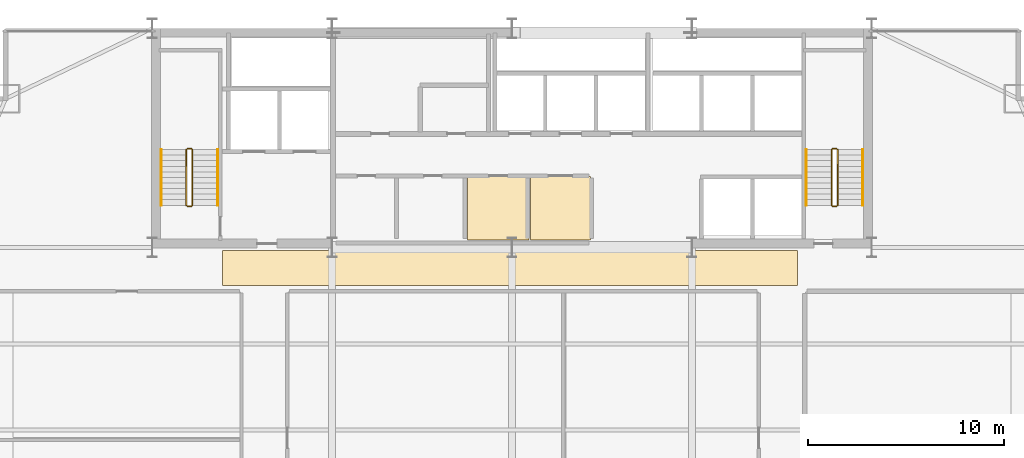
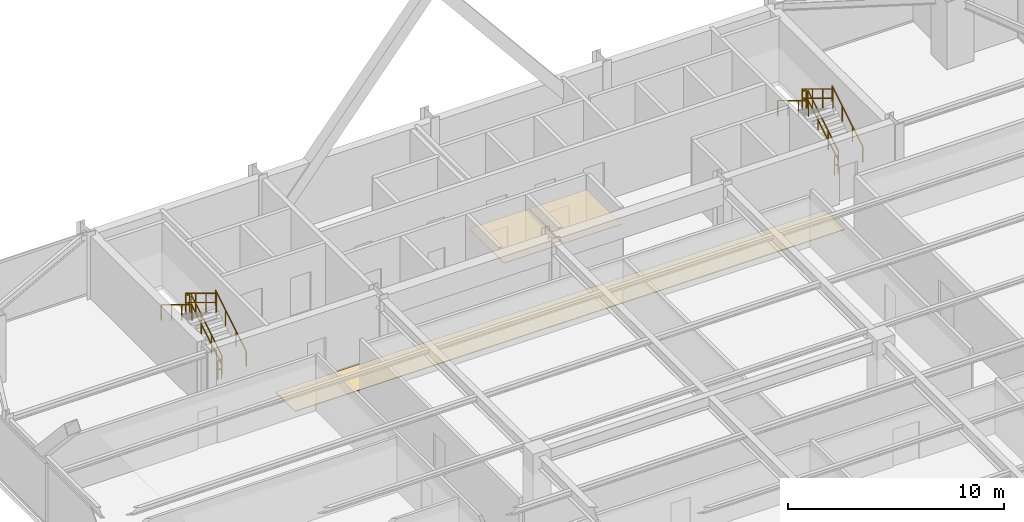
# One storey, part 38 of 38: 12 railings, 3 coverings.
"""IFC4 building model written with IfcOpenShell, lengths in metres."""

import ifcopenshell
import ifcopenshell.guid

model = None  # the IFC model being written
_history = None  # IfcOwnerHistory: only IFC2X3 demands one
_inside = {}  # id of a spatial element -> (the spatial element, [elements in it])
_under = {}  # id of a project, library or spatial element -> (it, [spatial elements below it])
_declared = {}  # id of a project -> (the project, [libraries it declares])
_typed = {}  # id of a type object -> (the type object, [elements of that type])
_made_of = {}  # id of a material, layer set ... -> (it, [elements and type objects made of it])


def new_model(schema):
    """Start an empty IFC model of exactly this schema.

    Asked for "IFC4X3", IfcOpenShell would pick the latest addendum, in which some entities
    have other attributes; the version numbers below select the first issue.
    IFC2X3 requires an IfcOwnerHistory on every rooted entity: one is made here for all.
    """
    global model, _history
    if schema == "IFC4X3":
        model = ifcopenshell.file(schema_version=(4, 3, 0, 0))
    else:
        model = ifcopenshell.file(schema=schema)
    _inside.clear()
    _under.clear()
    _declared.clear()
    _typed.clear()
    _made_of.clear()
    _history = None
    if model.schema == "IFC2X3":
        org = make("IfcOrganization", Name="unknown")
        user = make(
            "IfcPersonAndOrganization",
            ThePerson=make("IfcPerson", FamilyName="unknown"),
            TheOrganization=org,
        )
        app = make(
            "IfcApplication",
            ApplicationDeveloper=org,
            Version="unknown",
            ApplicationFullName="unknown",
            ApplicationIdentifier="unknown",
        )
        _history = make(
            "IfcOwnerHistory",
            OwningUser=user,
            OwningApplication=app,
            ChangeAction="ADDED",
            CreationDate=0,
        )
    return model


def make(cls, **values):
    """One entity of the class cls with the attributes given. An attribute that is None is left unset."""
    return model.create_entity(
        cls, **{name: value for name, value in values.items() if value is not None}
    )


def rooted(cls, **values):
    """An entity with a GlobalId (a new one), such as an element, a storey or a relation."""
    return make(cls, GlobalId=ifcopenshell.guid.new(), OwnerHistory=_history, **values)


def si_unit(unit_type, name, prefix=None):
    """IfcSIUnit, for example si_unit("LENGTHUNIT", "METRE", prefix="MILLI")."""
    return make("IfcSIUnit", UnitType=unit_type, Prefix=prefix, Name=name)


def assignment(units):
    """IfcUnitAssignment: the units of a project."""
    return None if units is None else make("IfcUnitAssignment", Units=units)


def point(xyz):
    """IfcCartesianPoint."""
    return None if xyz is None else make("IfcCartesianPoint", Coordinates=xyz)


def direction(xyz):
    """IfcDirection."""
    return None if xyz is None else make("IfcDirection", DirectionRatios=xyz)


def frame(location, z_axis=None, x_axis=None):
    """IfcAxis2Placement3D, a coordinate frame: its origin and axes. An axis left out is left unset."""
    return make(
        "IfcAxis2Placement3D",
        Location=point(location),
        Axis=direction(z_axis),
        RefDirection=direction(x_axis),
    )


def frame_2d(location, x_axis=None):
    """IfcAxis2Placement2D, a coordinate frame in the plane: its origin and x axis."""
    return make(
        "IfcAxis2Placement2D", Location=point(location), RefDirection=direction(x_axis)
    )


def origin():
    """The frame at (0, 0, 0) with its axes left unset."""
    return frame((0.0, 0.0, 0.0))


def origin_2d():
    """The frame at (0, 0) in the plane with its x axis left unset."""
    return frame_2d((0.0, 0.0))


def place(relative_to, where):
    """IfcLocalPlacement: puts the frame where relative to a parent placement (None: the world)."""
    return make(
        "IfcLocalPlacement", PlacementRelTo=relative_to, RelativePlacement=where
    )


def context(
    kind, dimensions, precision=None, world=None, true_north=None, identifier=None
):
    """IfcGeometricRepresentationContext, for example the 3D "Model" context."""
    return make(
        "IfcGeometricRepresentationContext",
        ContextIdentifier=identifier,
        ContextType=kind,
        CoordinateSpaceDimension=dimensions,
        Precision=precision,
        WorldCoordinateSystem=world,
        TrueNorth=true_north,
    )


def subcontext(parent, identifier, kind, view, scale=None):
    """IfcGeometricRepresentationSubContext, for example "Body" below "Model"."""
    return make(
        "IfcGeometricRepresentationSubContext",
        ContextIdentifier=identifier,
        ContextType=kind,
        ParentContext=parent,
        TargetScale=scale,
        TargetView=view,
    )


def project(units=None, contexts=None):
    """IfcProject with its units and contexts."""
    return rooted(
        "IfcProject",
        Name="project",
        RepresentationContexts=contexts,
        UnitsInContext=assignment(units),
    )


def spatial(cls, under=None, at=None, **own):
    """A site, building, storey or space (cls), placed at a placement, below another one or the project."""
    s = rooted(cls, ObjectPlacement=at, **own)
    if under is not None:
        _under.setdefault(under.id(), (under, []))[1].append(s)
    return s


def polyline(points):
    """IfcPolyline through the points."""
    return make("IfcPolyline", Points=[point(p) for p in points])


def profile(cls, at=None, kind="AREA", **sizes):
    """A parametric profile (cls). Its sizes go by their IFC names, for example OverallWidth=200.0."""
    return make(cls, ProfileType=kind, Position=at, **sizes)


def rectangle(**sizes):
    """IfcRectangleProfileDef."""
    return profile("IfcRectangleProfileDef", **sizes)


def outline(outer, holes=None, kind="AREA"):
    """IfcArbitraryClosedProfileDef: a profile drawn as a closed curve; with holes, ...WithVoids."""
    if holes is None:
        return make("IfcArbitraryClosedProfileDef", ProfileType=kind, OuterCurve=outer)
    return make(
        "IfcArbitraryProfileDefWithVoids",
        ProfileType=kind,
        OuterCurve=outer,
        InnerCurves=holes,
    )


def extrude(swept, where, along, depth):
    """IfcExtrudedAreaSolid: the profile swept, set in the frame where, extruded along a direction by depth."""
    return make(
        "IfcExtrudedAreaSolid",
        SweptArea=swept,
        Position=where,
        ExtrudedDirection=direction(along),
        Depth=depth,
    )


def shape(context_of_items, identifier, shape_type, items):
    """IfcShapeRepresentation: the items that make up one representation, for example the "Body"."""
    return make(
        "IfcShapeRepresentation",
        ContextOfItems=context_of_items,
        RepresentationIdentifier=identifier,
        RepresentationType=shape_type,
        Items=items,
    )


def material(Name=None, Category=None):
    """IfcMaterial."""
    return make("IfcMaterial", Name=Name, Category=Category)


def layer(
    of_material, thickness, ventilated=None, Name=None, Category=None, Priority=None
):
    """IfcMaterialLayer: one layer of a wall or slab, of a material (None: an air gap)."""
    return make(
        "IfcMaterialLayer",
        Material=of_material,
        LayerThickness=thickness,
        IsVentilated=ventilated,
        Name=Name,
        Category=Category,
        Priority=Priority,
    )


def layer_set(layers, Name=None):
    """IfcMaterialLayerSet."""
    return make("IfcMaterialLayerSet", MaterialLayers=layers, LayerSetName=Name)


def made_of(thing, what):
    """Note that an element or type object is made of a material, layer set ...; save() writes the relation."""
    if what is not None:
        _made_of.setdefault(what.id(), (what, []))[1].append(thing)
    return thing


def type_object(cls, material=None, **own):
    """A type object (cls), such as IfcWallType, which elements share."""
    return made_of(rooted(cls, **own), material)


def element(
    cls,
    number,
    at=None,
    inside=None,
    cuts=None,
    type_object=None,
    material=None,
    context=None,
    identifier="Body",
    shape_type=None,
    held_by="IfcProductDefinitionShape",
    body=None,
    shapes=None,
    **own,
):
    """One element of the class cls, such as IfcWall. Its Tag is "e" and its number.

    at: its placement. inside: the storey or other place that contains it. cuts: it is an
    opening in that element (IfcRelVoidsElement). A single representation is given by context,
    identifier, shape_type and body (its items); several are given by shapes. held_by: the class
    of the entity that holds the representations. save() writes the other relations.
    """
    e = rooted(cls, Tag="e%d" % number, ObjectPlacement=at, **own)
    if body is not None:
        shapes = [shape(context, identifier, shape_type, body)]
    if shapes is not None:
        e.Representation = make(held_by, Representations=shapes)
    if inside is not None:
        _inside.setdefault(inside.id(), (inside, []))[1].append(e)
    if cuts is not None:
        rooted(
            "IfcRelVoidsElement", RelatingBuildingElement=cuts, RelatedOpeningElement=e
        )
    if type_object is not None:
        _typed.setdefault(type_object.id(), (type_object, []))[1].append(e)
    return made_of(e, material)


def aggregate(whole, parts):
    """IfcRelAggregates: a whole, such as a stair, and the parts it consists of."""
    return rooted("IfcRelAggregates", RelatingObject=whole, RelatedObjects=parts)


def save(model, path):
    """Write the relations noted so far, then the file.

    IfcRelAggregates (storeys below a building ...), IfcRelContainedInSpatialStructure (elements
    in a storey), IfcRelDefinesByType, IfcRelAssociatesMaterial and IfcRelDeclares: one each for
    every whole, place, type object, material and project.
    """
    for whole, parts in _under.values():
        aggregate(whole, parts)
    for where, things in _inside.values():
        rooted(
            "IfcRelContainedInSpatialStructure",
            RelatedElements=things,
            RelatingStructure=where,
        )
    for kind, things in _typed.values():
        rooted("IfcRelDefinesByType", RelatedObjects=things, RelatingType=kind)
    for what, things in _made_of.values():
        rooted("IfcRelAssociatesMaterial", RelatedObjects=things, RelatingMaterial=what)
    for by, libraries in _declared.values():
        rooted("IfcRelDeclares", RelatingContext=by, RelatedDefinitions=libraries)
    model.write(path)


model = new_model("IFC4")

# Units and contexts
model_context = context("Model", 3, precision=1e-05, world=origin(), true_north=direction((0.0, 1.0)))
body_context = subcontext(model_context, "Body", "Model", "MODEL_VIEW")
ifc_project = project(units=[si_unit("LENGTHUNIT", "METRE"), si_unit("AREAUNIT", "SQUARE_METRE"), si_unit("VOLUMEUNIT", "CUBIC_METRE"), si_unit("PLANEANGLEUNIT", "RADIAN"), si_unit("MASSUNIT", "GRAM", prefix="KILO")], contexts=[model_context])

# Site, building, storey
site_placement = place(None, origin())
site = spatial("IfcSite", under=ifc_project, at=site_placement, CompositionType="ELEMENT")
building_placement = place(site_placement, origin())
building = spatial("IfcBuilding", under=site, at=building_placement, Name="Varnel Quay Broadcast Tower", CompositionType="ELEMENT")
storey_placement = place(building_placement, frame((0.0, 0.0, 118.199951171875)))
storey = spatial("IfcBuildingStorey", under=building, at=storey_placement, Name="L28", CompositionType="ELEMENT", Elevation=118.199951171875)

# Coverings
ifc_material_1 = material(Name="Micro-Perforated Acoustic Ceiling Tile")
ifc_layer_1 = layer(ifc_material_1, 0.0400390625, Name="Micro-Perforated Acoustic Ceiling Tile")
ifc_layer_set_1 = layer_set([ifc_layer_1], Name="Micro-Perforated Acoustic Ceiling Tile")
covering_type_1 = type_object("IfcCoveringType", Name="Cov_AcousticCeiling", PredefinedType="CEILING", material=ifc_layer_set_1)
covering_1_placement = place(storey_placement, frame((0.0, 0.0, 2.580078125)))
element("IfcCovering", 1, at=covering_1_placement, inside=storey, type_object=covering_type_1, Name="L28 Broadcast First-Aid & Quiet Room Acoustic Ceiling", PredefinedType="CEILING", context=body_context, shape_type="SweptSolid", body=[
    extrude(outline(polyline([(31.735107421875, 35.985107421875), (34.864990234375, 35.985107421875), (34.864990234375, 39.215087890625), (31.735107421875, 39.215087890625), (31.735107421875, 35.985107421875)])), origin(), (0.0, 0.0, 1.0), 0.0400390625),
])
covering_2_placement = place(storey_placement, frame((0.0, 0.0, 2.580078125)))
element("IfcCovering", 2, at=covering_2_placement, inside=storey, type_object=covering_type_1, Name="L28 Zone Lighting Dimmer Room Acoustic Ceiling", PredefinedType="CEILING", context=body_context, shape_type="SweptSolid", body=[
    extrude(outline(polyline([(34.93505859375, 35.985107421875), (38.014892578125, 35.985107421875), (38.014892578125, 39.215087890625), (34.93505859375, 39.215087890625), (34.93505859375, 35.985107421875)])), origin(), (0.0, 0.0, 1.0), 0.0400390625),
])
ifc_material_2 = material(Name="Polished Terrazzo & Broadcast Raised Flooring")
ifc_layer_2 = layer(ifc_material_2, 0.0400390625, Name="Polished Terrazzo & Broadcast Raised Flooring")
ifc_layer_set_2 = layer_set([ifc_layer_2], Name="Polished Terrazzo & Broadcast Raised Flooring")
covering_type_2 = type_object("IfcCoveringType", Name="Cov_TerrazzoFloor", PredefinedType="FLOORING", material=ifc_layer_set_2)
covering_3_placement = place(storey_placement, origin())
element("IfcCovering", 3, at=covering_3_placement, inside=storey, type_object=covering_type_2, Name="L28 Corridor Terrazzo Flooring", PredefinedType="FLOORING", context=body_context, shape_type="SweptSolid", body=[
    extrude(outline(polyline([(19.199951171875, 33.64990234375), (48.60009765625, 33.64990234375), (48.60009765625, 35.449951171875), (19.199951171875, 35.449951171875), (19.199951171875, 33.64990234375)])), origin(), (0.0, 0.0, 1.0), 0.0400390625),
])

# Railings
ifc_material_3 = material(Name="Painted Steel Guard and Handrail CSA G40.21 350W", Category="steel")
railing_type_1 = type_object("IfcRailingType", Name="Rail_StairGuard1100", PredefinedType="GUARDRAIL", material=ifc_material_3)
railing_1_placement = place(storey_placement, frame((17.64990234375, 37.75, 0.1728515625)))
element("IfcRailing", 4, at=railing_1_placement, inside=storey, type_object=railing_type_1, Name="L28 ST-01 stair guard 1", PredefinedType="GUARDRAIL", context=body_context, shape_type="SweptSolid", body=[
    extrude(rectangle(XDim=0.048095703125, YDim=0.048095703125, at=origin_2d()), frame((0.0, 0.0, 1.076171875), z_axis=(0.0, 0.855202751398, 0.518293598264), x_axis=(-1.0, 0.0, 0.0)), (0.0, 0.0, 1.0), 3.332763671875),
    extrude(rectangle(XDim=0.048095703125, YDim=0.048095703125, at=origin_2d()), frame((0.0, 0.0, 0.550048828125), z_axis=(0.0, 0.855202751398, 0.518293598264), x_axis=(-1.0, 0.0, 0.0)), (0.0, 0.0, 1.0), 3.332763671875),
    extrude(rectangle(XDim=0.0419921875, YDim=0.0419921875, at=origin_2d()), origin(), (0.0, 0.0, 1.0), 1.052001953125),
    extrude(rectangle(XDim=0.0419921875, YDim=0.0419921875, at=origin_2d()), frame((0.0, 0.949951171875, 0.57568359375)), (0.0, 0.0, 1.0), 1.052001953125),
    extrude(rectangle(XDim=0.0419921875, YDim=0.0419921875, at=origin_2d()), frame((0.0, 1.900146484375, 1.151611328125)), (0.0, 0.0, 1.0), 1.052001953125),
    extrude(rectangle(XDim=0.0419921875, YDim=0.0419921875, at=origin_2d()), frame((0.0, 2.85009765625, 1.727294921875)), (0.0, 0.0, 1.0), 1.052001953125),
])
railing_2_placement = place(storey_placement, frame((17.60009765625, 40.64990234375, 1.900146484375)))
element("IfcRailing", 5, at=railing_2_placement, inside=storey, type_object=railing_type_1, Name="L28 ST-01 stair guard 2", PredefinedType="GUARDRAIL", context=body_context, shape_type="SweptSolid", body=[
    extrude(rectangle(XDim=0.048095703125, YDim=0.048095703125, at=origin_2d()), frame((0.0, 0.0, 1.076171875), z_axis=(-1.0, 0.0, 0.0), x_axis=(0.0, -1.0, 0.0)), (0.0, 0.0, 1.0), 0.2001953125),
    extrude(rectangle(XDim=0.048095703125, YDim=0.048095703125, at=origin_2d()), frame((0.0, 0.0, 0.550048828125), z_axis=(-1.0, 0.0, 0.0), x_axis=(0.0, -1.0, 0.0)), (0.0, 0.0, 1.0), 0.2001953125),
    extrude(rectangle(XDim=0.0419921875, YDim=0.0419921875, at=origin_2d()), origin(), (0.0, 0.0, 1.0), 1.052001953125),
    extrude(rectangle(XDim=0.0419921875, YDim=0.0419921875, at=origin_2d()), frame((-0.2001953125, 0.0, 0.0)), (0.0, 0.0, 1.0), 1.052001953125),
])
railing_3_placement = place(storey_placement, frame((17.35009765625, 40.60009765625, 2.07275390625)))
element("IfcRailing", 6, at=railing_3_placement, inside=storey, type_object=railing_type_1, Name="L28 ST-01 stair guard 3", PredefinedType="GUARDRAIL", context=body_context, shape_type="SweptSolid", body=[
    extrude(rectangle(XDim=0.048095703125, YDim=0.048095703125, at=origin_2d()), frame((0.0, 0.0, 1.076171875), z_axis=(0.0, -0.855202751398, 0.518293598264), x_axis=(1.0, 0.0, 0.0)), (0.0, 0.0, 1.0), 3.332763671875),
    extrude(rectangle(XDim=0.048095703125, YDim=0.048095703125, at=origin_2d()), frame((0.0, 0.0, 0.550048828125), z_axis=(0.0, -0.855202751398, 0.518293598264), x_axis=(1.0, 0.0, 0.0)), (0.0, 0.0, 1.0), 3.332763671875),
    extrude(rectangle(XDim=0.0419921875, YDim=0.0419921875, at=origin_2d()), origin(), (0.0, 0.0, 1.0), 1.052001953125),
    extrude(rectangle(XDim=0.0419921875, YDim=0.0419921875, at=origin_2d()), frame((0.0, -0.949951171875, 0.57568359375)), (0.0, 0.0, 1.0), 1.052001953125),
    extrude(rectangle(XDim=0.0419921875, YDim=0.0419921875, at=origin_2d()), frame((0.0, -1.900146484375, 1.151611328125)), (0.0, 0.0, 1.0), 1.052001953125),
    extrude(rectangle(XDim=0.0419921875, YDim=0.0419921875, at=origin_2d()), frame((0.0, -2.85009765625, 1.727294921875)), (0.0, 0.0, 1.0), 1.052001953125),
])
railing_4_placement = place(storey_placement, frame((17.60009765625, 37.699951171875, 0.0)))
element("IfcRailing", 7, at=railing_4_placement, inside=storey, type_object=railing_type_1, Name="L28 ST-01 stair guard 4", PredefinedType="GUARDRAIL", context=body_context, shape_type="SweptSolid", body=[
    extrude(rectangle(XDim=0.048095703125, YDim=0.048095703125, at=origin_2d()), frame((0.0, 0.0, 1.076171875), z_axis=(-1.0, 0.0, 0.0), x_axis=(0.0, -1.0, 0.0)), (0.0, 0.0, 1.0), 0.2001953125),
    extrude(rectangle(XDim=0.048095703125, YDim=0.048095703125, at=origin_2d()), frame((0.0, 0.0, 0.550048828125), z_axis=(-1.0, 0.0, 0.0), x_axis=(0.0, -1.0, 0.0)), (0.0, 0.0, 1.0), 0.2001953125),
    extrude(rectangle(XDim=0.0419921875, YDim=0.0419921875, at=origin_2d()), origin(), (0.0, 0.0, 1.0), 1.052001953125),
    extrude(rectangle(XDim=0.0419921875, YDim=0.0419921875, at=origin_2d()), frame((-0.2001953125, 0.0, 0.0)), (0.0, 0.0, 1.0), 1.052001953125),
])
railing_5_placement = place(storey_placement, frame((50.64990234375, 37.75, 0.1728515625)))
element("IfcRailing", 8, at=railing_5_placement, inside=storey, type_object=railing_type_1, Name="L28 ST-02 stair guard 1", PredefinedType="GUARDRAIL", context=body_context, shape_type="SweptSolid", body=[
    extrude(rectangle(XDim=0.048095703125, YDim=0.048095703125, at=origin_2d()), frame((0.0, 0.0, 1.076171875), z_axis=(0.0, 0.855202751398, 0.518293598264), x_axis=(-1.0, 0.0, 0.0)), (0.0, 0.0, 1.0), 3.332763671875),
    extrude(rectangle(XDim=0.048095703125, YDim=0.048095703125, at=origin_2d()), frame((0.0, 0.0, 0.550048828125), z_axis=(0.0, 0.855202751398, 0.518293598264), x_axis=(-1.0, 0.0, 0.0)), (0.0, 0.0, 1.0), 3.332763671875),
    extrude(rectangle(XDim=0.0419921875, YDim=0.0419921875, at=origin_2d()), origin(), (0.0, 0.0, 1.0), 1.052001953125),
    extrude(rectangle(XDim=0.0419921875, YDim=0.0419921875, at=origin_2d()), frame((0.0, 0.949951171875, 0.57568359375)), (0.0, 0.0, 1.0), 1.052001953125),
    extrude(rectangle(XDim=0.0419921875, YDim=0.0419921875, at=origin_2d()), frame((0.0, 1.900146484375, 1.151611328125)), (0.0, 0.0, 1.0), 1.052001953125),
    extrude(rectangle(XDim=0.0419921875, YDim=0.0419921875, at=origin_2d()), frame((0.0, 2.85009765625, 1.727294921875)), (0.0, 0.0, 1.0), 1.052001953125),
])
railing_6_placement = place(storey_placement, frame((50.60009765625, 40.64990234375, 1.900146484375)))
element("IfcRailing", 9, at=railing_6_placement, inside=storey, type_object=railing_type_1, Name="L28 ST-02 stair guard 2", PredefinedType="GUARDRAIL", context=body_context, shape_type="SweptSolid", body=[
    extrude(rectangle(XDim=0.048095703125, YDim=0.048095703125, at=origin_2d()), frame((0.0, 0.0, 1.076171875), z_axis=(-1.0, 0.0, 0.0), x_axis=(0.0, -1.0, 0.0)), (0.0, 0.0, 1.0), 0.2001953125),
    extrude(rectangle(XDim=0.048095703125, YDim=0.048095703125, at=origin_2d()), frame((0.0, 0.0, 0.550048828125), z_axis=(-1.0, 0.0, 0.0), x_axis=(0.0, -1.0, 0.0)), (0.0, 0.0, 1.0), 0.2001953125),
    extrude(rectangle(XDim=0.0419921875, YDim=0.0419921875, at=origin_2d()), origin(), (0.0, 0.0, 1.0), 1.052001953125),
    extrude(rectangle(XDim=0.0419921875, YDim=0.0419921875, at=origin_2d()), frame((-0.2001953125, 0.0, 0.0)), (0.0, 0.0, 1.0), 1.052001953125),
])
railing_7_placement = place(storey_placement, frame((50.35009765625, 40.60009765625, 2.07275390625)))
element("IfcRailing", 10, at=railing_7_placement, inside=storey, type_object=railing_type_1, Name="L28 ST-02 stair guard 3", PredefinedType="GUARDRAIL", context=body_context, shape_type="SweptSolid", body=[
    extrude(rectangle(XDim=0.048095703125, YDim=0.048095703125, at=origin_2d()), frame((0.0, 0.0, 1.076171875), z_axis=(0.0, -0.855202751398, 0.518293598264), x_axis=(1.0, 0.0, 0.0)), (0.0, 0.0, 1.0), 3.332763671875),
    extrude(rectangle(XDim=0.048095703125, YDim=0.048095703125, at=origin_2d()), frame((0.0, 0.0, 0.550048828125), z_axis=(0.0, -0.855202751398, 0.518293598264), x_axis=(1.0, 0.0, 0.0)), (0.0, 0.0, 1.0), 3.332763671875),
    extrude(rectangle(XDim=0.0419921875, YDim=0.0419921875, at=origin_2d()), origin(), (0.0, 0.0, 1.0), 1.052001953125),
    extrude(rectangle(XDim=0.0419921875, YDim=0.0419921875, at=origin_2d()), frame((0.0, -0.949951171875, 0.57568359375)), (0.0, 0.0, 1.0), 1.052001953125),
    extrude(rectangle(XDim=0.0419921875, YDim=0.0419921875, at=origin_2d()), frame((0.0, -1.900146484375, 1.151611328125)), (0.0, 0.0, 1.0), 1.052001953125),
    extrude(rectangle(XDim=0.0419921875, YDim=0.0419921875, at=origin_2d()), frame((0.0, -2.85009765625, 1.727294921875)), (0.0, 0.0, 1.0), 1.052001953125),
])
railing_8_placement = place(storey_placement, frame((50.60009765625, 37.699951171875, 0.0)))
element("IfcRailing", 11, at=railing_8_placement, inside=storey, type_object=railing_type_1, Name="L28 ST-02 stair guard 4", PredefinedType="GUARDRAIL", context=body_context, shape_type="SweptSolid", body=[
    extrude(rectangle(XDim=0.048095703125, YDim=0.048095703125, at=origin_2d()), frame((0.0, 0.0, 1.076171875), z_axis=(-1.0, 0.0, 0.0), x_axis=(0.0, -1.0, 0.0)), (0.0, 0.0, 1.0), 0.2001953125),
    extrude(rectangle(XDim=0.048095703125, YDim=0.048095703125, at=origin_2d()), frame((0.0, 0.0, 0.550048828125), z_axis=(-1.0, 0.0, 0.0), x_axis=(0.0, -1.0, 0.0)), (0.0, 0.0, 1.0), 0.2001953125),
    extrude(rectangle(XDim=0.0419921875, YDim=0.0419921875, at=origin_2d()), origin(), (0.0, 0.0, 1.0), 1.052001953125),
    extrude(rectangle(XDim=0.0419921875, YDim=0.0419921875, at=origin_2d()), frame((-0.2001953125, 0.0, 0.0)), (0.0, 0.0, 1.0), 1.052001953125),
])
railing_type_2 = type_object("IfcRailingType", Name="Rail_StairHandrail900", PredefinedType="HANDRAIL", material=ifc_material_3)
railing_9_placement = place(storey_placement, frame((18.949951171875, 37.75, 0.1728515625)))
element("IfcRailing", 12, at=railing_9_placement, inside=storey, type_object=railing_type_2, Name="L28 ST-01 stair handrail 1", PredefinedType="HANDRAIL", context=body_context, shape_type="SweptSolid", body=[
    extrude(rectangle(XDim=0.048095703125, YDim=0.048095703125, at=origin_2d()), frame((0.0, 0.0, 0.8759765625), z_axis=(0.0, 0.855202751398, 0.518293598264), x_axis=(-1.0, 0.0, 0.0)), (0.0, 0.0, 1.0), 3.332763671875),
    extrude(rectangle(XDim=0.0419921875, YDim=0.0419921875, at=origin_2d()), origin(), (0.0, 0.0, 1.0), 0.851806640625),
    extrude(rectangle(XDim=0.0419921875, YDim=0.0419921875, at=origin_2d()), frame((0.0, 0.949951171875, 0.57568359375)), (0.0, 0.0, 1.0), 0.851806640625),
    extrude(rectangle(XDim=0.0419921875, YDim=0.0419921875, at=origin_2d()), frame((0.0, 1.900146484375, 1.151611328125)), (0.0, 0.0, 1.0), 0.851806640625),
    extrude(rectangle(XDim=0.0419921875, YDim=0.0419921875, at=origin_2d()), frame((0.0, 2.85009765625, 1.727294921875)), (0.0, 0.0, 1.0), 0.851806640625),
])
railing_10_placement = place(storey_placement, frame((16.050048828125, 40.60009765625, 2.07275390625)))
element("IfcRailing", 13, at=railing_10_placement, inside=storey, type_object=railing_type_2, Name="L28 ST-01 stair handrail 2", PredefinedType="HANDRAIL", context=body_context, shape_type="SweptSolid", body=[
    extrude(rectangle(XDim=0.048095703125, YDim=0.048095703125, at=origin_2d()), frame((0.0, 0.0, 0.8759765625), z_axis=(0.0, -0.855202751398, 0.518293598264), x_axis=(1.0, 0.0, 0.0)), (0.0, 0.0, 1.0), 3.332763671875),
    extrude(rectangle(XDim=0.0419921875, YDim=0.0419921875, at=origin_2d()), origin(), (0.0, 0.0, 1.0), 0.851806640625),
    extrude(rectangle(XDim=0.0419921875, YDim=0.0419921875, at=origin_2d()), frame((0.0, -0.949951171875, 0.57568359375)), (0.0, 0.0, 1.0), 0.851806640625),
    extrude(rectangle(XDim=0.0419921875, YDim=0.0419921875, at=origin_2d()), frame((0.0, -1.900146484375, 1.151611328125)), (0.0, 0.0, 1.0), 0.851806640625),
    extrude(rectangle(XDim=0.0419921875, YDim=0.0419921875, at=origin_2d()), frame((0.0, -2.85009765625, 1.727294921875)), (0.0, 0.0, 1.0), 0.851806640625),
])
railing_11_placement = place(storey_placement, frame((51.949951171875, 37.75, 0.1728515625)))
element("IfcRailing", 14, at=railing_11_placement, inside=storey, type_object=railing_type_2, Name="L28 ST-02 stair handrail 1", PredefinedType="HANDRAIL", context=body_context, shape_type="SweptSolid", body=[
    extrude(rectangle(XDim=0.048095703125, YDim=0.048095703125, at=origin_2d()), frame((0.0, 0.0, 0.8759765625), z_axis=(0.0, 0.855202751398, 0.518293598264), x_axis=(-1.0, 0.0, 0.0)), (0.0, 0.0, 1.0), 3.332763671875),
    extrude(rectangle(XDim=0.0419921875, YDim=0.0419921875, at=origin_2d()), origin(), (0.0, 0.0, 1.0), 0.851806640625),
    extrude(rectangle(XDim=0.0419921875, YDim=0.0419921875, at=origin_2d()), frame((0.0, 0.949951171875, 0.57568359375)), (0.0, 0.0, 1.0), 0.851806640625),
    extrude(rectangle(XDim=0.0419921875, YDim=0.0419921875, at=origin_2d()), frame((0.0, 1.900146484375, 1.151611328125)), (0.0, 0.0, 1.0), 0.851806640625),
    extrude(rectangle(XDim=0.0419921875, YDim=0.0419921875, at=origin_2d()), frame((0.0, 2.85009765625, 1.727294921875)), (0.0, 0.0, 1.0), 0.851806640625),
])
railing_12_placement = place(storey_placement, frame((49.050048828125, 40.60009765625, 2.07275390625)))
element("IfcRailing", 15, at=railing_12_placement, inside=storey, type_object=railing_type_2, Name="L28 ST-02 stair handrail 2", PredefinedType="HANDRAIL", context=body_context, shape_type="SweptSolid", body=[
    extrude(rectangle(XDim=0.048095703125, YDim=0.048095703125, at=origin_2d()), frame((0.0, 0.0, 0.8759765625), z_axis=(0.0, -0.855202751398, 0.518293598264), x_axis=(1.0, 0.0, 0.0)), (0.0, 0.0, 1.0), 3.332763671875),
    extrude(rectangle(XDim=0.0419921875, YDim=0.0419921875, at=origin_2d()), origin(), (0.0, 0.0, 1.0), 0.851806640625),
    extrude(rectangle(XDim=0.0419921875, YDim=0.0419921875, at=origin_2d()), frame((0.0, -0.949951171875, 0.57568359375)), (0.0, 0.0, 1.0), 0.851806640625),
    extrude(rectangle(XDim=0.0419921875, YDim=0.0419921875, at=origin_2d()), frame((0.0, -1.900146484375, 1.151611328125)), (0.0, 0.0, 1.0), 0.851806640625),
    extrude(rectangle(XDim=0.0419921875, YDim=0.0419921875, at=origin_2d()), frame((0.0, -2.85009765625, 1.727294921875)), (0.0, 0.0, 1.0), 0.851806640625),
])

save(model, "model.ifc")
